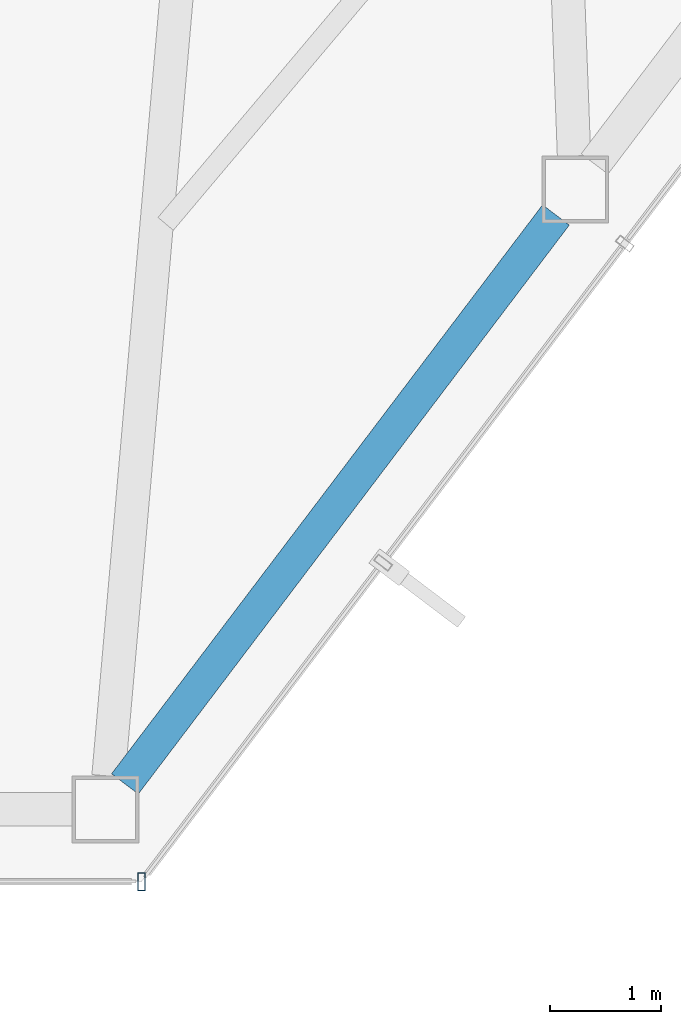
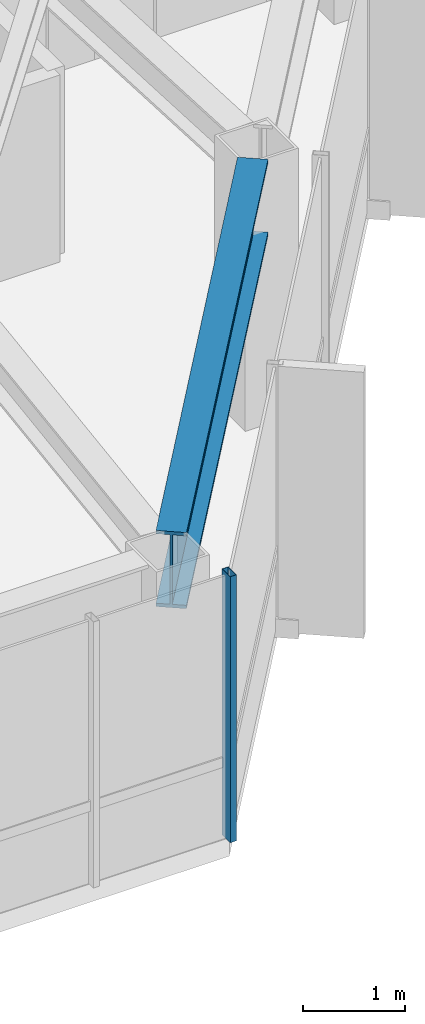
# One storey, part 7 of 25: 1 beam, 1 member, 1 element without a shape of its own.
"""IFC4 building model written with IfcOpenShell, lengths in metres."""

from ifc_helpers import new_model, si_unit, direction, frame, origin, origin_2d, place, context, subcontext, project, spatial, hollow_rectangle, i_section, extrude, material, layer, layer_set, material_profile, profile_set, type_object, element, aggregate, save


model = new_model("IFC4")

# Units and contexts
model_context = context("Model", 3, precision=1e-05, world=origin(), true_north=direction((0.0, 1.0)))
body_context = subcontext(model_context, "Body", "Model", "MODEL_VIEW")
ifc_project = project(units=[si_unit("LENGTHUNIT", "METRE"), si_unit("AREAUNIT", "SQUARE_METRE"), si_unit("VOLUMEUNIT", "CUBIC_METRE"), si_unit("PLANEANGLEUNIT", "RADIAN"), si_unit("MASSUNIT", "GRAM", prefix="KILO")], contexts=[model_context])

# Site, building, storey
site_placement = place(None, origin())
site = spatial("IfcSite", under=ifc_project, at=site_placement, CompositionType="ELEMENT")
building_placement = place(site_placement, origin())
building = spatial("IfcBuilding", under=site, at=building_placement, Name="Zarrinselat Tower", CompositionType="ELEMENT")
storey_placement = place(building_placement, frame((0.0, 0.0, 212.159912109375)))
storey = spatial("IfcBuildingStorey", under=building, at=storey_placement, Name="L52", CompositionType="ELEMENT", Elevation=212.159912109375)

# Beam
ifc_material_1 = material(Name="Steel S460M", Category="steel")
ifc_material_profile_1 = material_profile(ifc_material_1, i_section(OverallWidth=0.302001953125, OverallDepth=0.909912109375, WebThickness=0.02099609375, FlangeThickness=0.0400390625, at=origin_2d()), Name="HEM 900")
ifc_profile_set_1 = profile_set([ifc_material_profile_1], Name="Steel S460M")
beam_type = type_object("IfcBeamType", Name="BM-HEM900", PredefinedType="BEAM", material=ifc_profile_set_1)
beam_placement = place(storey_placement, frame((44.699951171875, 18.7900390625, 2.72509765625), z_axis=(0.603860615044, 0.797089930684, 0.0), x_axis=(-0.797089930684, 0.603860615044, 0.0)))
element("IfcBeam", 1, at=beam_placement, inside=storey, type_object=beam_type, Name="L52 Perimeter Spandrel Girder SP11", PredefinedType="BEAM", context=body_context, shape_type="SweptSolid", body=[
    extrude(i_section(OverallWidth=0.302001953125, OverallDepth=0.909912109375, WebThickness=0.02099609375, FlangeThickness=0.0400390625, at=origin_2d()), origin(), (0.0, 0.0, 1.0), 6.423583984375),
])

# Curtain wall, member
ifc_material_2 = material(Name="Extruded Aluminium Alloy EN AW-6063 T6", Category="aluminium")
ifc_layer = layer(ifc_material_2, 0.169921875)
ifc_layer_set = layer_set([ifc_layer], Name="Extruded Aluminium Alloy EN AW-6063 T6")
curtain_wall_type = type_object("IfcCurtainWallType", Name="CWS-RES", PredefinedType="NOTDEFINED", material=ifc_layer_set)
curtain_wall_placement = place(storey_placement, origin())
curtain_wall = element("IfcCurtainWall", 2, at=curtain_wall_placement, inside=storey, type_object=curtain_wall_type, Name="L52 Unitised Curtain Wall CW-L52-E04", PredefinedType="NOTDEFINED")
ifc_material_3 = material(Name="Extruded Aluminium Alloy EN AW-6063 T6", Category="aluminium")
ifc_material_profile_2 = material_profile(ifc_material_3, hollow_rectangle(XDim=0.070068359375, YDim=0.159912109375, WallThickness=0.00390625, at=origin_2d()), Name="RHS 160x70x4")
ifc_profile_set_2 = profile_set([ifc_material_profile_2], Name="Extruded Aluminium Alloy EN AW-6063 T6")
member_type = type_object("IfcMemberType", Name="MEM-CW-MUL2", PredefinedType="MULLION", material=ifc_profile_set_2)
member_placement = place(storey_placement, frame((44.84912109375, 17.910400390625, 0.0), z_axis=(0.0, 0.0, 1.0), x_axis=(1.0, 0.0, 0.0)))
member = element("IfcMember", 3, at=member_placement, type_object=member_type, Name="CW-L52-E04 Mullion 5", PredefinedType="MULLION", context=body_context, shape_type="SweptSolid", body=[
    extrude(hollow_rectangle(XDim=0.070068359375, YDim=0.159912109375, WallThickness=0.00390625, at=origin_2d()), origin(), (0.0, 0.0, 1.0), 3.18017578125),
])
aggregate(curtain_wall, [member])

save(model, "model.ifc")
